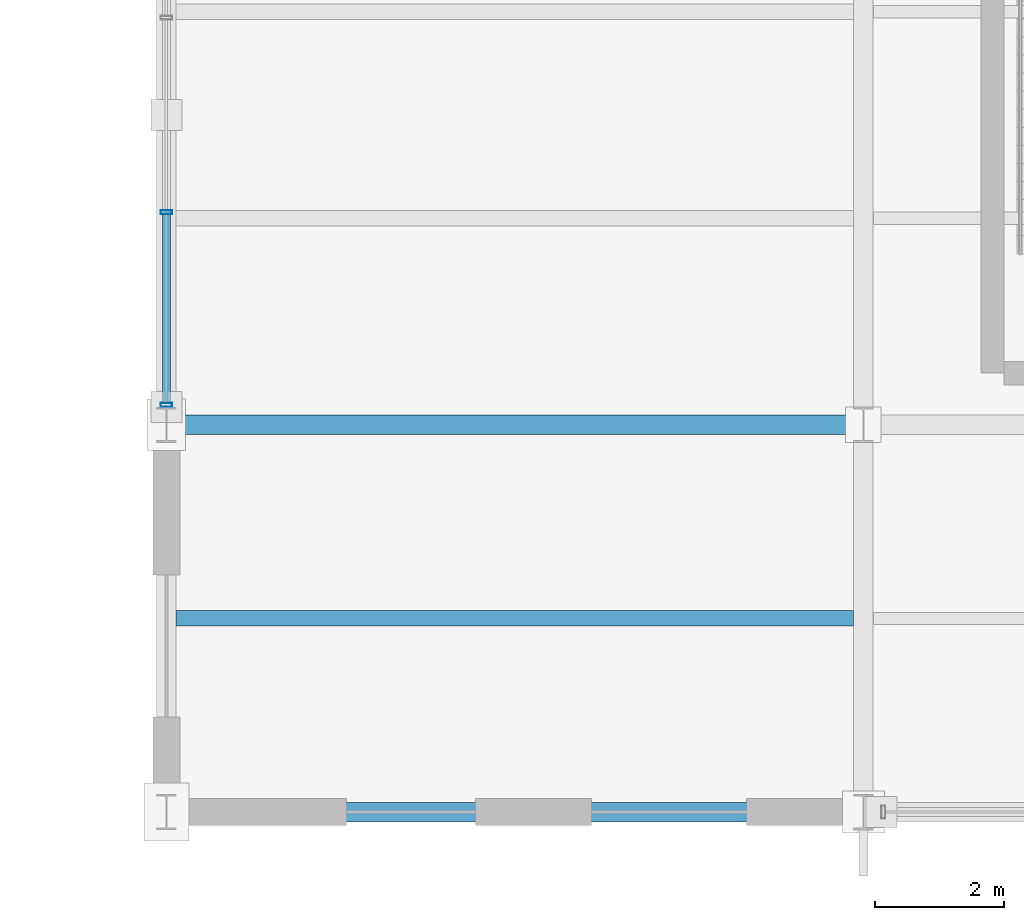
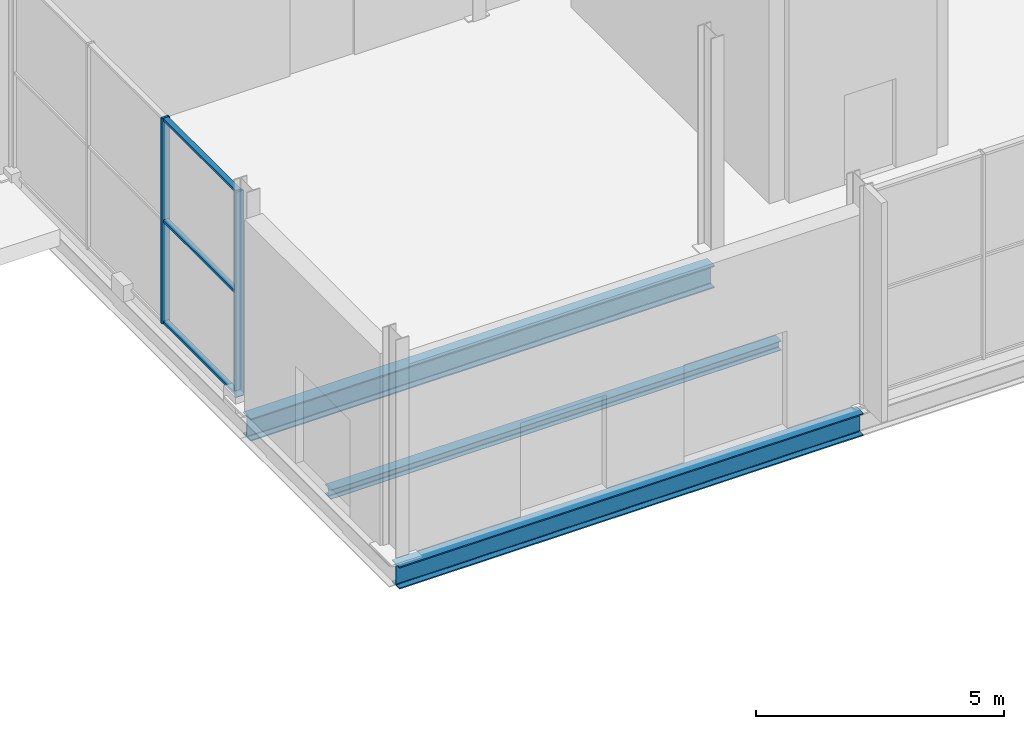
# One storey, part 123 of 196: 5 members, 3 beams, 1 element without a shape of its own.
"""IFC4 building model written with IfcOpenShell, lengths in metres."""

from ifc_helpers import new_model, si_unit, direction, frame, origin, origin_2d, place, context, subcontext, project, spatial, hollow_rectangle, i_section, extrude, material, material_profile, profile_set, type_object, element, aggregate, save


model = new_model("IFC4")

# Units and contexts
model_context = context("Model", 3, precision=1e-05, world=origin(), true_north=direction((0.0, 1.0)))
body_context = subcontext(model_context, "Body", "Model", "MODEL_VIEW")
ifc_project = project(units=[si_unit("LENGTHUNIT", "METRE"), si_unit("AREAUNIT", "SQUARE_METRE"), si_unit("VOLUMEUNIT", "CUBIC_METRE"), si_unit("PLANEANGLEUNIT", "RADIAN"), si_unit("MASSUNIT", "GRAM", prefix="KILO")], contexts=[model_context])

# Site, building, storey
site_placement = place(None, origin())
site = spatial("IfcSite", under=ifc_project, at=site_placement, CompositionType="ELEMENT")
building_placement = place(site_placement, origin())
building = spatial("IfcBuilding", under=site, at=building_placement, Name="Merenkruunu Market Hall", CompositionType="ELEMENT")
storey_placement = place(building_placement, origin())
storey = spatial("IfcBuildingStorey", under=building, at=storey_placement, Name="L00", CompositionType="ELEMENT", Elevation=0.0)

# Curtain wall, members
ifc_material_1 = material(Name="Powder-coated aluminium", Category="aluminium")
curtain_wall_type = type_object("IfcCurtainWallType", Name="Glazed Curtain Wall CW14", PredefinedType="USERDEFINED", material=ifc_material_1)
curtain_wall_placement = place(storey_placement, origin())
curtain_wall = element("IfcCurtainWall", 1, at=curtain_wall_placement, inside=storey, type_object=curtain_wall_type, Name="CW-L00-CWM02-204", ObjectType="GLAZED_FACADE", PredefinedType="USERDEFINED")
ifc_material_profile_1 = material_profile(ifc_material_1, hollow_rectangle(XDim=0.06005859375, YDim=0.179931640625, WallThickness=0.00390625, at=origin_2d()), Name="ALU 60x180x4")
ifc_profile_set_1 = profile_set([ifc_material_profile_1], Name="Powder-coated aluminium")
member_type_1 = type_object("IfcMemberType", Name="Curtain Wall Mullion CWM02", PredefinedType="MULLION", material=ifc_profile_set_1)
member_1_placement = place(storey_placement, frame((148.800048828125, 6.31005859375, 0.0), z_axis=(0.0, 0.0, 1.0), x_axis=(0.0, 1.0, 0.0)))
member_1 = element("IfcMember", 2, at=member_1_placement, type_object=member_type_1, Name="CW14 mullion 1", PredefinedType="MULLION", context=body_context, shape_type="SweptSolid", body=[
    extrude(hollow_rectangle(XDim=0.06005859375, YDim=0.179931640625, WallThickness=0.00390625, at=origin_2d()), origin(), (0.0, 0.0, 1.0), 5.050048828125),
])
member_2_placement = place(storey_placement, frame((148.800048828125, 9.293212890625, 0.0), z_axis=(0.0, 0.0, 1.0), x_axis=(0.0, 1.0, 0.0)))
member_2 = element("IfcMember", 3, at=member_2_placement, type_object=member_type_1, Name="CW14 mullion 2", PredefinedType="MULLION", context=body_context, shape_type="SweptSolid", body=[
    extrude(hollow_rectangle(XDim=0.06005859375, YDim=0.179931640625, WallThickness=0.00390625, at=origin_2d()), origin(), (0.0, 0.0, 1.0), 5.050048828125),
])
ifc_material_profile_2 = material_profile(ifc_material_1, hollow_rectangle(XDim=0.06005859375, YDim=0.125, WallThickness=0.00390625, at=origin_2d()), Name="ALU 60x125x4")
ifc_profile_set_2 = profile_set([ifc_material_profile_2], Name="Powder-coated aluminium")
member_type_2 = type_object("IfcMemberType", Name="Curtain Wall Transom CWT01", PredefinedType="USERDEFINED", material=ifc_profile_set_2)
member_3_placement = place(storey_placement, frame((148.800048828125, 6.340087890625, 0.030029296875), z_axis=(0.0, 1.0, 0.0), x_axis=(0.0, 0.0, 1.0)))
member_3 = element("IfcMember", 4, at=member_3_placement, type_object=member_type_2, Name="CW14 transom 1.1", ObjectType="TRANSOM", PredefinedType="USERDEFINED", context=body_context, shape_type="SweptSolid", body=[
    extrude(hollow_rectangle(XDim=0.06005859375, YDim=0.125, WallThickness=0.00390625, at=origin_2d()), origin(), (0.0, 0.0, 1.0), 2.92333984375),
])
member_4_placement = place(storey_placement, frame((148.800048828125, 6.340087890625, 2.52490234375), z_axis=(0.0, 1.0, 0.0), x_axis=(0.0, 0.0, 1.0)))
member_4 = element("IfcMember", 5, at=member_4_placement, type_object=member_type_2, Name="CW14 transom 1.2", ObjectType="TRANSOM", PredefinedType="USERDEFINED", context=body_context, shape_type="SweptSolid", body=[
    extrude(hollow_rectangle(XDim=0.06005859375, YDim=0.125, WallThickness=0.00390625, at=origin_2d()), origin(), (0.0, 0.0, 1.0), 2.92333984375),
])
member_5_placement = place(storey_placement, frame((148.800048828125, 6.340087890625, 5.02001953125), z_axis=(0.0, 1.0, 0.0), x_axis=(0.0, 0.0, 1.0)))
member_5 = element("IfcMember", 6, at=member_5_placement, type_object=member_type_2, Name="CW14 transom 1.3", ObjectType="TRANSOM", PredefinedType="USERDEFINED", context=body_context, shape_type="SweptSolid", body=[
    extrude(hollow_rectangle(XDim=0.06005859375, YDim=0.125, WallThickness=0.00390625, at=origin_2d()), origin(), (0.0, 0.0, 1.0), 2.92333984375),
])
aggregate(curtain_wall, [member_1, member_2, member_3, member_4, member_5])

# Beams
ifc_material_2 = material(Name="Steel S355J2", Category="steel")
ifc_material_profile_3 = material_profile(ifc_material_2, i_section(OverallWidth=0.300048828125, OverallDepth=0.550048828125, WebThickness=0.014892578125, FlangeThickness=0.029052734375, FilletRadius=0.027099609375, at=origin_2d()), Name="HEB 550")
ifc_profile_set_3 = profile_set([ifc_material_profile_3], Name="Steel S355J2")
beam_type_1 = type_object("IfcBeamType", Name="Primary Floor Girder B02", PredefinedType="BEAM", material=ifc_profile_set_3)
for number, where, z_axis, x_axis, name in (
    (7, (148.800048828125, 0.0, -0.574951171875), (1.0, 0.0, 0.0), (0.0, 1.0, 0.0), "BM-L00-B02-0001"),
    (8, (148.800048828125, 6.0, -0.574951171875), (1.0, 0.0, 0.0), (0.0, 1.0, 0.0), "BM-L00-B02-0005"),
):
    element("IfcBeam", number, at=place(storey_placement, frame(where, z_axis=z_axis, x_axis=x_axis)), inside=storey, type_object=beam_type_1, Name=name, PredefinedType="BEAM", context=body_context, shape_type="SweptSolid", body=[
        extrude(i_section(OverallWidth=0.300048828125, OverallDepth=0.550048828125, WebThickness=0.014892578125, FlangeThickness=0.029052734375, FilletRadius=0.027099609375, at=origin_2d()), origin(), (0.0, 0.0, 1.0), 10.800048828125),
    ])
ifc_material_profile_4 = material_profile(ifc_material_2, i_section(OverallWidth=0.239990234375, OverallDepth=0.22998046875, WebThickness=0.007568359375, FlangeThickness=0.011962890625, FilletRadius=0.02099609375, at=origin_2d()), Name="HEA 240")
ifc_profile_set_4 = profile_set([ifc_material_profile_4], Name="Steel S355J2")
beam_type_2 = type_object("IfcBeamType", Name="Secondary Floor Joist J06", PredefinedType="JOIST", material=ifc_profile_set_4)
beam_placement = place(storey_placement, frame((148.952880859375, 3.0, -0.4150390625), z_axis=(1.0, 0.0, 0.0), x_axis=(0.0, 1.0, 0.0)))
element("IfcBeam", 9, at=beam_placement, inside=storey, type_object=beam_type_2, Name="BM-L00-J06-0422", PredefinedType="JOIST", context=body_context, shape_type="SweptSolid", body=[
    extrude(i_section(OverallWidth=0.239990234375, OverallDepth=0.22998046875, WebThickness=0.007568359375, FlangeThickness=0.011962890625, FilletRadius=0.02099609375, at=origin_2d()), origin(), (0.0, 0.0, 1.0), 10.494140625),
])

save(model, "model.ifc")
